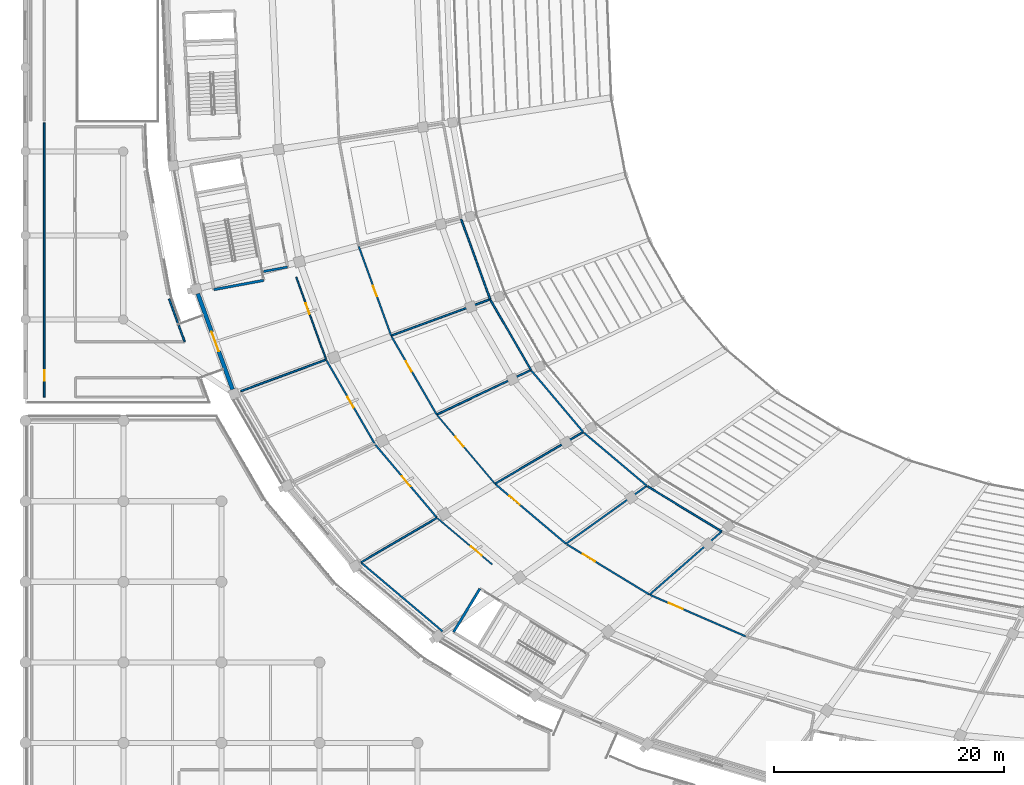
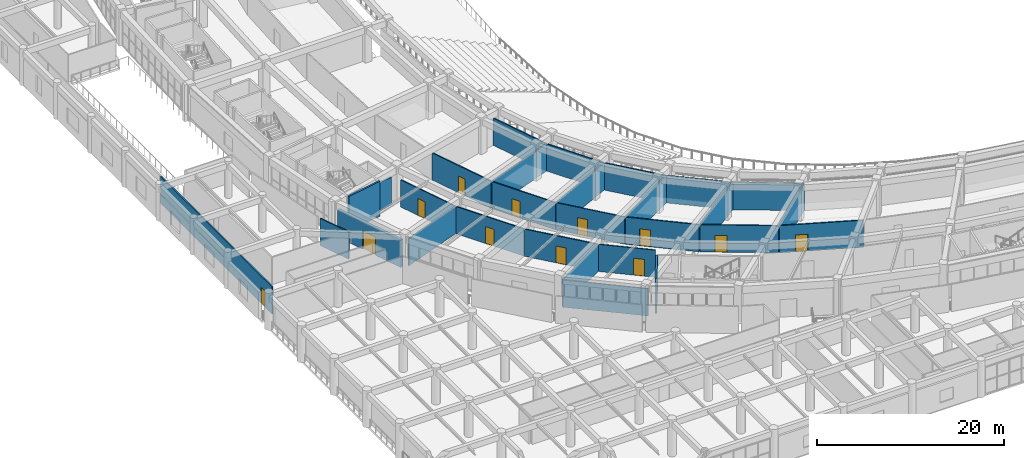
# One storey, part 96 of 152: 29 walls, 12 doors, 12 openings.
"""IFC4 building model written with IfcOpenShell, lengths in metres."""

from ifc_helpers import new_model, si_unit, direction, frame, frame_2d, origin, place, context, subcontext, project, spatial, rectangle, extrude, material, layer, layer_set, type_object, element, fill, save


model = new_model("IFC4")

# Units and contexts
model_context = context("Model", 3, precision=1e-05, world=origin(), true_north=direction((0.0, 1.0)))
body_context = subcontext(model_context, "Body", "Model", "MODEL_VIEW")
ifc_project = project(units=[si_unit("LENGTHUNIT", "METRE"), si_unit("AREAUNIT", "SQUARE_METRE"), si_unit("VOLUMEUNIT", "CUBIC_METRE"), si_unit("PLANEANGLEUNIT", "RADIAN"), si_unit("MASSUNIT", "GRAM", prefix="KILO")], contexts=[model_context])

# Site, building, storey
site_placement = place(None, origin())
site = spatial("IfcSite", under=ifc_project, at=site_placement, CompositionType="ELEMENT")
building_placement = place(site_placement, origin())
building = spatial("IfcBuilding", under=site, at=building_placement, Name="Mphavela Belvedere Stadium", CompositionType="ELEMENT")
storey_placement = place(building_placement, frame((0.0, 0.0, 5.39990234375)))
storey = spatial("IfcBuildingStorey", under=building, at=storey_placement, Name="L01", CompositionType="ELEMENT", Elevation=5.39990234375)

# Walls
ifc_material_1 = material(Name="Concrete C40/50", Category="concrete")
ifc_layer_1 = layer(ifc_material_1, 0.219970703125)
ifc_layer_set_1 = layer_set([ifc_layer_1], Name="Concrete C40/50")
wall_type_1 = type_object("IfcWallType", Name="WAL-CORE-SHEAR-220", PredefinedType="SHEAR", material=ifc_layer_set_1)
for number, where, z_axis, x_axis, name in (
    (1, (20.703857421875, 61.197021484375, 0.0), (0.0, 0.0, 1.0), (-0.983191575486, -0.182576904051, 0.0), "Core C09 shear wall L01 left"),
    (2, (39.497314453125, 34.4033203125, 0.0), (0.0, 0.0, 1.0), (-0.519664162523, -0.854370621095, 0.0), "Core C10 shear wall L01 right"),
):
    element("IfcWall", number, at=place(storey_placement, frame(where, z_axis=z_axis, x_axis=x_axis)), inside=storey, type_object=wall_type_1, Name=name, PredefinedType="SHEAR", context=body_context, shape_type="SweptSolid", body=[
        extrude(rectangle(XDim=4.41015625, YDim=0.219970703125, at=frame_2d((2.205078125, 0.0))), origin(), (0.0, 0.0, 1.0), 4.550048828125),
    ])

# Wall, opening, door
ifc_material_2 = material(Name="Honed ashlar limestone masonry", Category="masonry")
ifc_layer_2 = layer(ifc_material_2, 0.35009765625)
ifc_layer_set_2 = layer_set([ifc_layer_2], Name="Honed ashlar limestone masonry")
wall_type_2 = type_object("IfcWallType", Name="WAL-EXT-ASHLAR-350", PredefinedType="STANDARD", material=ifc_layer_set_2)
wall_1_placement = place(storey_placement, frame((17.99951171875, 51.71533203125, 0.0), z_axis=(0.0, 0.0, 1.0), x_axis=(-0.341014666885, 0.940057975324, 0.0)))
wall_1 = element("IfcWall", 3, at=wall_1_placement, inside=storey, type_object=wall_type_2, Name="Classical link portal wall L01-27", PredefinedType="STANDARD", context=body_context, shape_type="SweptSolid", body=[
    extrude(rectangle(XDim=8.855224609375, YDim=0.35009765625, at=frame_2d((4.427734375, 0.0))), origin(), (0.0, 0.0, 1.0), 3.570068359375),
])
opening_1_placement = place(wall_1_placement, frame((3.527587890625, 0.0, 0.0)))
opening_1 = element("IfcOpeningElement", 4, at=opening_1_placement, cuts=wall_1, Name="Opening ID-9126", PredefinedType="OPENING", context=body_context, shape_type="SweptSolid", body=[
    extrude(rectangle(XDim=1.800048828125, YDim=2.39990234375, at=frame_2d((0.89990234375, 1.199951171875))), frame((0.0, 0.18505859375, 0.0), z_axis=(0.0, -1.0, 0.0), x_axis=(1.0, 0.0, 0.0)), (0.0, 0.0, 1.0), 0.3701171875),
])
ifc_material_3 = material(Name="Glazed bronze-anodised steel exit doorset", Category="steel")
door_type_1 = type_object("IfcDoorType", Name="DR-EXT-01", OperationType="NOTDEFINED", PredefinedType="DOOR", material=ifc_material_3)
door_1_placement = place(opening_1_placement, origin())
door_1 = element("IfcDoor", 5, at=door_1_placement, inside=storey, type_object=door_type_1, Name="Wing promenade link doorset L01-27", OperationType="DOUBLE_DOOR_SINGLE_SWING", OverallHeight=2.39990234375, OverallWidth=1.800048828125, PredefinedType="DOOR", context=body_context, shape_type="SweptSolid", body=[
    extrude(rectangle(XDim=1.800048828125, YDim=2.39990234375, at=frame_2d((0.89990234375, 1.199951171875))), frame((0.0, 0.02490234375, 0.0), z_axis=(0.0, -1.0, 0.0), x_axis=(1.0, 0.0, 0.0)), (0.0, 0.0, 1.0), 0.050048828125),
])
fill(opening_1, door_1)

ifc_material_4 = material(Name="Moisture-resistant sanitary partition assembly")
ifc_layer_3 = layer(ifc_material_4, 0.125)
ifc_layer_set_3 = layer_set([ifc_layer_3], Name="Moisture-resistant sanitary partition assembly")
wall_type_3 = type_object("IfcWallType", Name="WAL-PART-125", PredefinedType="PARTITIONING", material=ifc_layer_set_3)
wall_2_placement = place(storey_placement, frame((23.531005859375, 61.47802734375, 0.0), z_axis=(0.0, 0.0, 1.0), x_axis=(0.341013494536, -0.940058400603, 0.0)))
wall_2 = element("IfcWall", 6, at=wall_2_placement, inside=storey, type_object=wall_type_3, Name="Room L01-101 corridor partition", PredefinedType="PARTITIONING", context=body_context, shape_type="SweptSolid", body=[
    extrude(rectangle(XDim=7.6318359375, YDim=0.125, at=frame_2d((3.81591796875, 0.0))), origin(), (0.0, 0.0, 1.0), 3.550048828125),
])
opening_2_placement = place(wall_2_placement, frame((2.424072265625, 0.0, 0.0)))
opening_2 = element("IfcOpeningElement", 7, at=opening_2_placement, cuts=wall_2, Name="Opening ID-123", PredefinedType="OPENING", context=body_context, shape_type="SweptSolid", body=[
    extrude(rectangle(XDim=0.97998046875, YDim=2.199951171875, at=frame_2d((0.489990234375, 1.10009765625))), frame((0.0, 0.072509765625, 0.0), z_axis=(0.0, -1.0, 0.0), x_axis=(1.0, 0.0, 0.0)), (0.0, 0.0, 1.0), 0.14501953125),
])
ifc_material_5 = material(Name="Hardwood acoustic timber doorset", Category="wood")
door_type_2 = type_object("IfcDoorType", Name="DR-INT-15", OperationType="NOTDEFINED", PredefinedType="DOOR", material=ifc_material_5)
door_2_placement = place(opening_2_placement, origin())
door_2 = element("IfcDoor", 8, at=door_2_placement, inside=storey, type_object=door_type_2, Name="Room L01-101 entrance door ID-123", OperationType="SINGLE_SWING_LEFT", OverallHeight=2.199951171875, OverallWidth=0.97998046875, PredefinedType="DOOR", context=body_context, shape_type="SweptSolid", body=[
    extrude(rectangle(XDim=0.97998046875, YDim=2.199951171875, at=frame_2d((0.489990234375, 1.10009765625))), frame((0.0, 0.02490234375, 0.0), z_axis=(0.0, -1.0, 0.0), x_axis=(1.0, 0.0, 0.0)), (0.0, 0.0, 1.0), 0.050048828125),
])
fill(opening_2, door_2)

wall_3_placement = place(storey_placement, frame((40.806884765625, 43.518310546875, 0.0), z_axis=(0.0, 0.0, 1.0), x_axis=(-0.645180817826, 0.764029915847, 0.0)))
wall_3 = element("IfcWall", 9, at=wall_3_placement, inside=storey, type_object=wall_type_3, Name="Room L01-106 corridor partition", PredefinedType="PARTITIONING", context=body_context, shape_type="SweptSolid", body=[
    extrude(rectangle(XDim=7.779296875, YDim=0.125, at=frame_2d((3.8896484375, 0.0))), origin(), (0.0, 0.0, 1.0), 3.550048828125),
])
opening_3_placement = place(wall_3_placement, frame((4.24560546875, 0.0, 0.0)))
opening_3 = element("IfcOpeningElement", 10, at=opening_3_placement, cuts=wall_3, Name="Opening ID-126", PredefinedType="OPENING", context=body_context, shape_type="SweptSolid", body=[
    extrude(rectangle(XDim=1.10009765625, YDim=2.199951171875, at=frame_2d((0.550048828125, 1.10009765625))), frame((0.0, 0.072509765625, 0.0), z_axis=(0.0, -1.0, 0.0), x_axis=(1.0, 0.0, 0.0)), (0.0, 0.0, 1.0), 0.14501953125),
])
ifc_material_6 = material(Name="Hardwood acoustic timber doorset", Category="wood")
door_type_3 = type_object("IfcDoorType", Name="DR-INT-18", OperationType="NOTDEFINED", PredefinedType="DOOR", material=ifc_material_6)
door_3_placement = place(opening_3_placement, origin())
door_3 = element("IfcDoor", 11, at=door_3_placement, inside=storey, type_object=door_type_3, Name="Room L01-106 entrance door ID-126", OperationType="SINGLE_SWING_RIGHT", OverallHeight=2.199951171875, OverallWidth=1.10009765625, PredefinedType="DOOR", context=body_context, shape_type="SweptSolid", body=[
    extrude(rectangle(XDim=1.10009765625, YDim=2.199951171875, at=frame_2d((0.550048828125, 1.10009765625))), frame((0.0, 0.02490234375, 0.0), z_axis=(0.0, -1.0, 0.0), x_axis=(1.0, 0.0, 0.0)), (0.0, 0.0, 1.0), 0.050048828125),
])
fill(opening_3, door_3)

wall_4_placement = place(storey_placement, frame((35.8251953125, 40.5029296875, 0.0), z_axis=(0.0, 0.0, 1.0), x_axis=(0.764269616674, -0.644896854565, 0.0)))
wall_4 = element("IfcWall", 12, at=wall_4_placement, inside=storey, type_object=wall_type_3, Name="Room L01-110 corridor partition", PredefinedType="PARTITIONING", context=body_context, shape_type="SweptSolid", body=[
    extrude(rectangle(XDim=6.19091796875, YDim=0.125, at=frame_2d((3.095458984375, 0.0))), origin(), (0.0, 0.0, 1.0), 3.550048828125),
])
opening_4_placement = place(wall_4_placement, frame((3.78466796875, 0.0, 0.0)))
opening_4 = element("IfcOpeningElement", 13, at=opening_4_placement, cuts=wall_4, Name="Opening ID-129", PredefinedType="OPENING", context=body_context, shape_type="SweptSolid", body=[
    extrude(rectangle(XDim=1.219970703125, YDim=2.199951171875, at=frame_2d((0.60986328125, 1.10009765625))), frame((0.0, 0.072509765625, 0.0), z_axis=(0.0, -1.0, 0.0), x_axis=(1.0, 0.0, 0.0)), (0.0, 0.0, 1.0), 0.14501953125),
])
ifc_material_7 = material(Name="Hardwood acoustic timber doorset", Category="wood")
door_type_4 = type_object("IfcDoorType", Name="DR-INT-21", OperationType="NOTDEFINED", PredefinedType="DOOR", material=ifc_material_7)
door_4_placement = place(opening_4_placement, origin())
door_4 = element("IfcDoor", 14, at=door_4_placement, inside=storey, type_object=door_type_4, Name="Room L01-110 entrance door ID-129", OperationType="SINGLE_SWING_LEFT", OverallHeight=2.199951171875, OverallWidth=1.219970703125, PredefinedType="DOOR", context=body_context, shape_type="SweptSolid", body=[
    extrude(rectangle(XDim=1.219970703125, YDim=2.199951171875, at=frame_2d((0.60986328125, 1.10009765625))), frame((0.0, 0.02490234375, 0.0), z_axis=(0.0, -1.0, 0.0), x_axis=(1.0, 0.0, 0.0)), (0.0, 0.0, 1.0), 0.050048828125),
])
fill(opening_4, door_4)

ifc_material_8 = material(Name="Acoustic gypsum stud partition assembly")
ifc_layer_4 = layer(ifc_material_8, 0.14990234375)
ifc_layer_set_4 = layer_set([ifc_layer_4], Name="Acoustic gypsum stud partition assembly")
wall_type_4 = type_object("IfcWallType", Name="WAL-PART-150", PredefinedType="PARTITIONING", material=ifc_layer_set_4)
wall_5_placement = place(storey_placement, frame((31.782470703125, 56.384765625, 0.0), z_axis=(0.0, 0.0, 1.0), x_axis=(-0.341044733968, 0.940047067669, 0.0)))
wall_5 = element("IfcWall", 15, at=wall_5_placement, inside=storey, type_object=wall_type_4, Name="Room L01-100 corridor partition", PredefinedType="PARTITIONING", context=body_context, shape_type="SweptSolid", body=[
    extrude(rectangle(XDim=8.25390625, YDim=0.14990234375, at=frame_2d((4.126953125, 0.0))), origin(), (0.0, 0.0, 1.0), 3.550048828125),
])
opening_5_placement = place(wall_5_placement, frame((3.656982421875, 0.0, 0.0)))
opening_5 = element("IfcOpeningElement", 16, at=opening_5_placement, cuts=wall_5, Name="Opening ID-122", PredefinedType="OPENING", context=body_context, shape_type="SweptSolid", body=[
    extrude(rectangle(XDim=0.93994140625, YDim=2.199951171875, at=frame_2d((0.469970703125, 1.10009765625))), frame((0.0, 0.0849609375, 0.0), z_axis=(0.0, -1.0, 0.0), x_axis=(1.0, 0.0, 0.0)), (0.0, 0.0, 1.0), 0.169921875),
])
ifc_material_9 = material(Name="Hardwood acoustic timber doorset", Category="wood")
door_type_5 = type_object("IfcDoorType", Name="DR-INT-14", OperationType="NOTDEFINED", PredefinedType="DOOR", material=ifc_material_9)
door_5_placement = place(opening_5_placement, origin())
door_5 = element("IfcDoor", 17, at=door_5_placement, inside=storey, type_object=door_type_5, Name="Room L01-100 entrance door ID-122", OperationType="SINGLE_SWING_RIGHT", OverallHeight=2.199951171875, OverallWidth=0.93994140625, PredefinedType="DOOR", context=body_context, shape_type="SweptSolid", body=[
    extrude(rectangle(XDim=0.93994140625, YDim=2.199951171875, at=frame_2d((0.469970703125, 1.10009765625))), frame((0.0, 0.02490234375, 0.0), z_axis=(0.0, -1.0, 0.0), x_axis=(1.0, 0.0, 0.0)), (0.0, 0.0, 1.0), 0.050048828125),
])
fill(opening_5, door_5)

wall_6_placement = place(storey_placement, frame((35.739990234375, 49.52783203125, 0.0), z_axis=(0.0, 0.0, 1.0), x_axis=(-0.500584301803, 0.865687794063, 0.0)))
wall_6 = element("IfcWall", 18, at=wall_6_placement, inside=storey, type_object=wall_type_4, Name="Room L01-103 corridor partition", PredefinedType="PARTITIONING", context=body_context, shape_type="SweptSolid", body=[
    extrude(rectangle(XDim=7.8369140625, YDim=0.14990234375, at=frame_2d((3.91845703125, 0.0))), origin(), (0.0, 0.0, 1.0), 3.550048828125),
])
opening_6_placement = place(wall_6_placement, frame((4.335205078125, 0.0, 0.0)))
opening_6 = element("IfcOpeningElement", 19, at=opening_6_placement, cuts=wall_6, Name="Opening ID-124", PredefinedType="OPENING", context=body_context, shape_type="SweptSolid", body=[
    extrude(rectangle(XDim=1.02001953125, YDim=2.199951171875, at=frame_2d((0.510009765625, 1.10009765625))), frame((0.0, 0.0849609375, 0.0), z_axis=(0.0, -1.0, 0.0), x_axis=(1.0, 0.0, 0.0)), (0.0, 0.0, 1.0), 0.169921875),
])
ifc_material_10 = material(Name="Hardwood acoustic timber doorset", Category="wood")
door_type_6 = type_object("IfcDoorType", Name="DR-INT-16", OperationType="NOTDEFINED", PredefinedType="DOOR", material=ifc_material_10)
door_6_placement = place(opening_6_placement, origin())
door_6 = element("IfcDoor", 20, at=door_6_placement, inside=storey, type_object=door_type_6, Name="Room L01-103 entrance door ID-124", OperationType="SINGLE_SWING_RIGHT", OverallHeight=2.199951171875, OverallWidth=1.02001953125, PredefinedType="DOOR", context=body_context, shape_type="SweptSolid", body=[
    extrude(rectangle(XDim=1.02001953125, YDim=2.199951171875, at=frame_2d((0.510009765625, 1.10009765625))), frame((0.0, 0.02490234375, 0.0), z_axis=(0.0, -1.0, 0.0), x_axis=(1.0, 0.0, 0.0)), (0.0, 0.0, 1.0), 0.050048828125),
])
fill(opening_6, door_6)

wall_7_placement = place(storey_placement, frame((26.1669921875, 54.230712890625, 0.0), z_axis=(0.0, 0.0, 1.0), x_axis=(0.500559280672, -0.865702262059, 0.0)))
wall_7 = element("IfcWall", 21, at=wall_7_placement, inside=storey, type_object=wall_type_4, Name="Room L01-104 corridor partition", PredefinedType="PARTITIONING", context=body_context, shape_type="SweptSolid", body=[
    extrude(rectangle(XDim=8.37451171875, YDim=0.14990234375, at=frame_2d((4.187255859375, 0.0))), origin(), (0.0, 0.0, 1.0), 3.550048828125),
])
opening_7_placement = place(wall_7_placement, frame((3.6572265625, 0.0, 0.0)))
opening_7 = element("IfcOpeningElement", 22, at=opening_7_placement, cuts=wall_7, Name="Opening ID-125", PredefinedType="OPENING", context=body_context, shape_type="SweptSolid", body=[
    extrude(rectangle(XDim=1.06005859375, YDim=2.199951171875, at=frame_2d((0.530029296875, 1.10009765625))), frame((0.0, 0.0849609375, 0.0), z_axis=(0.0, -1.0, 0.0), x_axis=(1.0, 0.0, 0.0)), (0.0, 0.0, 1.0), 0.169921875),
])
ifc_material_11 = material(Name="Hardwood acoustic timber doorset", Category="wood")
door_type_7 = type_object("IfcDoorType", Name="DR-INT-17", OperationType="NOTDEFINED", PredefinedType="DOOR", material=ifc_material_11)
door_7_placement = place(opening_7_placement, origin())
door_7 = element("IfcDoor", 23, at=door_7_placement, inside=storey, type_object=door_type_7, Name="Room L01-104 entrance door ID-125", OperationType="SINGLE_SWING_LEFT", OverallHeight=2.199951171875, OverallWidth=1.06005859375, PredefinedType="DOOR", context=body_context, shape_type="SweptSolid", body=[
    extrude(rectangle(XDim=1.06005859375, YDim=2.199951171875, at=frame_2d((0.530029296875, 1.10009765625))), frame((0.0, 0.02490234375, 0.0), z_axis=(0.0, -1.0, 0.0), x_axis=(1.0, 0.0, 0.0)), (0.0, 0.0, 1.0), 0.050048828125),
])
fill(opening_7, door_7)

wall_8_placement = place(storey_placement, frame((30.40478515625, 46.9140625, 0.0), z_axis=(0.0, 0.0, 1.0), x_axis=(0.64516519871, -0.76404310505, 0.0)))
wall_8 = element("IfcWall", 24, at=wall_8_placement, inside=storey, type_object=wall_type_4, Name="Room L01-107 corridor partition", PredefinedType="PARTITIONING", context=body_context, shape_type="SweptSolid", body=[
    extrude(rectangle(XDim=8.3134765625, YDim=0.14990234375, at=frame_2d((4.15673828125, 0.0))), origin(), (0.0, 0.0, 1.0), 3.550048828125),
])
opening_8_placement = place(wall_8_placement, frame((3.586669921875, 0.0, 0.0)))
opening_8 = element("IfcOpeningElement", 25, at=opening_8_placement, cuts=wall_8, Name="Opening ID-127", PredefinedType="OPENING", context=body_context, shape_type="SweptSolid", body=[
    extrude(rectangle(XDim=1.139892578125, YDim=2.199951171875, at=frame_2d((0.56982421875, 1.10009765625))), frame((0.0, 0.0849609375, 0.0), z_axis=(0.0, -1.0, 0.0), x_axis=(1.0, 0.0, 0.0)), (0.0, 0.0, 1.0), 0.169921875),
])
ifc_material_12 = material(Name="Hardwood acoustic timber doorset", Category="wood")
door_type_8 = type_object("IfcDoorType", Name="DR-INT-19", OperationType="NOTDEFINED", PredefinedType="DOOR", material=ifc_material_12)
door_8_placement = place(opening_8_placement, origin())
door_8 = element("IfcDoor", 26, at=door_8_placement, inside=storey, type_object=door_type_8, Name="Room L01-107 entrance door ID-127", OperationType="SINGLE_SWING_LEFT", OverallHeight=2.199951171875, OverallWidth=1.139892578125, PredefinedType="DOOR", context=body_context, shape_type="SweptSolid", body=[
    extrude(rectangle(XDim=1.139892578125, YDim=2.199951171875, at=frame_2d((0.56982421875, 1.10009765625))), frame((0.0, 0.02490234375, 0.0), z_axis=(0.0, -1.0, 0.0), x_axis=(1.0, 0.0, 0.0)), (0.0, 0.0, 1.0), 0.050048828125),
])
fill(opening_8, door_8)

wall_9_placement = place(storey_placement, frame((46.972900390625, 38.30810546875, 0.0), z_axis=(0.0, 0.0, 1.0), x_axis=(-0.764249122867, 0.644921141068, 0.0)))
wall_9 = element("IfcWall", 27, at=wall_9_placement, inside=storey, type_object=wall_type_4, Name="Room L01-109 corridor partition", PredefinedType="PARTITIONING", context=body_context, shape_type="SweptSolid", body=[
    extrude(rectangle(XDim=7.989501953125, YDim=0.14990234375, at=frame_2d((3.99462890625, 0.0))), origin(), (0.0, 0.0, 1.0), 3.550048828125),
])
opening_9_placement = place(wall_9_placement, frame((5.255615234375, 0.0, 0.0)))
opening_9 = element("IfcOpeningElement", 28, at=opening_9_placement, cuts=wall_9, Name="Opening ID-128", PredefinedType="OPENING", context=body_context, shape_type="SweptSolid", body=[
    extrude(rectangle(XDim=1.179931640625, YDim=2.199951171875, at=frame_2d((0.58984375, 1.10009765625))), frame((0.0, 0.0849609375, 0.0), z_axis=(0.0, -1.0, 0.0), x_axis=(1.0, 0.0, 0.0)), (0.0, 0.0, 1.0), 0.169921875),
])
ifc_material_13 = material(Name="Hardwood acoustic timber doorset", Category="wood")
door_type_9 = type_object("IfcDoorType", Name="DR-INT-20", OperationType="NOTDEFINED", PredefinedType="DOOR", material=ifc_material_13)
door_9_placement = place(opening_9_placement, origin())
door_9 = element("IfcDoor", 29, at=door_9_placement, inside=storey, type_object=door_type_9, Name="Room L01-109 entrance door ID-128", OperationType="SINGLE_SWING_RIGHT", OverallHeight=2.199951171875, OverallWidth=1.179931640625, PredefinedType="DOOR", context=body_context, shape_type="SweptSolid", body=[
    extrude(rectangle(XDim=1.179931640625, YDim=2.199951171875, at=frame_2d((0.58984375, 1.10009765625))), frame((0.0, 0.02490234375, 0.0), z_axis=(0.0, -1.0, 0.0), x_axis=(1.0, 0.0, 0.0)), (0.0, 0.0, 1.0), 0.050048828125),
])
fill(opening_9, door_9)

wall_10_placement = place(storey_placement, frame((54.237060546875, 33.884033203125, 0.0), z_axis=(0.0, 0.0, 1.0), x_axis=(-0.854330104408, 0.519730769439, 0.0)))
wall_10 = element("IfcWall", 30, at=wall_10_placement, inside=storey, type_object=wall_type_4, Name="Room L01-112 corridor partition", PredefinedType="PARTITIONING", context=body_context, shape_type="SweptSolid", body=[
    extrude(rectangle(XDim=8.420166015625, YDim=0.14990234375, at=frame_2d((4.2099609375, 0.0))), origin(), (0.0, 0.0, 1.0), 3.550048828125),
])
opening_10_placement = place(wall_10_placement, frame((5.5361328125, 0.0, 0.0)))
opening_10 = element("IfcOpeningElement", 31, at=opening_10_placement, cuts=wall_10, Name="Opening ID-130", PredefinedType="OPENING", context=body_context, shape_type="SweptSolid", body=[
    extrude(rectangle(XDim=1.260009765625, YDim=2.199951171875, at=frame_2d((0.6298828125, 1.10009765625))), frame((0.0, 0.0849609375, 0.0), z_axis=(0.0, -1.0, 0.0), x_axis=(1.0, 0.0, 0.0)), (0.0, 0.0, 1.0), 0.169921875),
])
ifc_material_14 = material(Name="Hardwood acoustic timber doorset", Category="wood")
door_type_10 = type_object("IfcDoorType", Name="DR-INT-22", OperationType="NOTDEFINED", PredefinedType="DOOR", material=ifc_material_14)
door_10_placement = place(opening_10_placement, origin())
door_10 = element("IfcDoor", 32, at=door_10_placement, inside=storey, type_object=door_type_10, Name="Room L01-112 entrance door ID-130", OperationType="SINGLE_SWING_RIGHT", OverallHeight=2.199951171875, OverallWidth=1.260009765625, PredefinedType="DOOR", context=body_context, shape_type="SweptSolid", body=[
    extrude(rectangle(XDim=1.260009765625, YDim=2.199951171875, at=frame_2d((0.6298828125, 1.10009765625))), frame((0.0, 0.02490234375, 0.0), z_axis=(0.0, -1.0, 0.0), x_axis=(1.0, 0.0, 0.0)), (0.0, 0.0, 1.0), 0.050048828125),
])
fill(opening_10, door_10)

wall_11_placement = place(storey_placement, frame((62.617919921875, 30.246826171875, 0.0), z_axis=(0.0, 0.0, 1.0), x_axis=(-0.917494590455, 0.397748257677, 0.0)))
wall_11 = element("IfcWall", 33, at=wall_11_placement, inside=storey, type_object=wall_type_4, Name="Room L01-114 corridor partition", PredefinedType="PARTITIONING", context=body_context, shape_type="SweptSolid", body=[
    extrude(rectangle(XDim=9.04931640625, YDim=0.14990234375, at=frame_2d((4.524658203125, 0.0))), origin(), (0.0, 0.0, 1.0), 3.550048828125),
])
opening_11_placement = place(wall_11_placement, frame((5.991455078125, 0.0, 0.0)))
opening_11 = element("IfcOpeningElement", 34, at=opening_11_placement, cuts=wall_11, Name="Opening ID-131", PredefinedType="OPENING", context=body_context, shape_type="SweptSolid", body=[
    extrude(rectangle(XDim=1.320068359375, YDim=2.199951171875, at=frame_2d((0.66015625, 1.10009765625))), frame((0.0, 0.0849609375, 0.0), z_axis=(0.0, -1.0, 0.0), x_axis=(1.0, 0.0, 0.0)), (0.0, 0.0, 1.0), 0.169921875),
])
ifc_material_15 = material(Name="Hardwood acoustic timber doorset", Category="wood")
door_type_11 = type_object("IfcDoorType", Name="DR-INT-23", OperationType="NOTDEFINED", PredefinedType="DOOR", material=ifc_material_15)
door_11_placement = place(opening_11_placement, origin())
door_11 = element("IfcDoor", 35, at=door_11_placement, inside=storey, type_object=door_type_11, Name="Room L01-114 entrance door ID-131", OperationType="SINGLE_SWING_LEFT", OverallHeight=2.199951171875, OverallWidth=1.320068359375, PredefinedType="DOOR", context=body_context, shape_type="SweptSolid", body=[
    extrude(rectangle(XDim=1.320068359375, YDim=2.199951171875, at=frame_2d((0.66015625, 1.10009765625))), frame((0.0, 0.02490234375, 0.0), z_axis=(0.0, -1.0, 0.0), x_axis=(1.0, 0.0, 0.0)), (0.0, 0.0, 1.0), 0.050048828125),
])
fill(opening_11, door_11)

wall_12_placement = place(storey_placement, frame((1.639892578125, 74.88330078125, 0.0), z_axis=(0.0, 0.0, 1.0), x_axis=(0.0, -1.0, 0.0)))
wall_12 = element("IfcWall", 36, at=wall_12_placement, inside=storey, type_object=wall_type_4, Name="Room L01-190 corridor partition", PredefinedType="PARTITIONING", context=body_context, shape_type="SweptSolid", body=[
    extrude(rectangle(XDim=23.833251953125, YDim=0.14990234375, at=frame_2d((11.91650390625, 0.0))), origin(), (0.0, 0.0, 1.0), 3.550048828125),
])
opening_12_placement = place(wall_12_placement, frame((21.49853515625, 0.0, 0.0)))
opening_12 = element("IfcOpeningElement", 37, at=opening_12_placement, cuts=wall_12, Name="Opening ID-505", PredefinedType="OPENING", context=body_context, shape_type="SweptSolid", body=[
    extrude(rectangle(XDim=0.89990234375, YDim=2.10009765625, at=frame_2d((0.449951171875, 1.050048828125))), frame((0.0, 0.0849609375, 0.0), z_axis=(0.0, -1.0, 0.0), x_axis=(1.0, 0.0, 0.0)), (0.0, 0.0, 1.0), 0.169921875),
])
ifc_material_16 = material(Name="Hardwood acoustic timber doorset", Category="wood")
door_type_12 = type_object("IfcDoorType", Name="DR-INT-01", OperationType="NOTDEFINED", PredefinedType="DOOR", material=ifc_material_16)
door_12_placement = place(opening_12_placement, origin())
door_12 = element("IfcDoor", 38, at=door_12_placement, inside=storey, type_object=door_type_12, Name="Room L01-190 entrance door ID-505", OperationType="SINGLE_SWING_LEFT", OverallHeight=2.10009765625, OverallWidth=0.89990234375, PredefinedType="DOOR", context=body_context, shape_type="SweptSolid", body=[
    extrude(rectangle(XDim=0.89990234375, YDim=2.10009765625, at=frame_2d((0.449951171875, 1.050048828125))), frame((0.0, 0.02490234375, 0.0), z_axis=(0.0, -1.0, 0.0), x_axis=(1.0, 0.0, 0.0)), (0.0, 0.0, 1.0), 0.050048828125),
])
fill(opening_12, door_12)

# Walls
wall_13_placement = place(storey_placement, frame((37.866943359375, 66.50390625, 0.0), z_axis=(0.0, 0.0, 1.0), x_axis=(0.34104817416, -0.940045819576, 0.0)))
element("IfcWall", 39, at=wall_13_placement, inside=storey, type_object=wall_type_4, Name="Room divider partition L01-0215", PredefinedType="PARTITIONING", context=body_context, shape_type="SweptSolid", body=[
    extrude(rectangle(XDim=7.391845703125, YDim=0.14990234375, at=frame_2d((3.69580078125, 0.0))), origin(), (0.0, 0.0, 1.0), 3.550048828125),
])
wall_14_placement = place(storey_placement, frame((40.387939453125, 59.55517578125, 0.0), z_axis=(0.0, 0.0, 1.0), x_axis=(-0.93834402583, -0.345702891496, 0.0)))
element("IfcWall", 40, at=wall_14_placement, inside=storey, type_object=wall_type_4, Name="Room divider partition L01-0216", PredefinedType="PARTITIONING", context=body_context, shape_type="SweptSolid", body=[
    extrude(rectangle(XDim=9.1708984375, YDim=0.14990234375, at=frame_2d((4.58544921875, 0.0))), origin(), (0.0, 0.0, 1.0), 3.550048828125),
])
wall_15_placement = place(storey_placement, frame((26.133544921875, 54.3037109375, 0.0), z_axis=(0.0, 0.0, 1.0), x_axis=(-0.938346807893, -0.345695340028, 0.0)))
element("IfcWall", 41, at=wall_15_placement, inside=storey, type_object=wall_type_4, Name="Room divider partition L01-0217", PredefinedType="PARTITIONING", context=body_context, shape_type="SweptSolid", body=[
    extrude(rectangle(XDim=7.90478515625, YDim=0.14990234375, at=frame_2d((3.952392578125, 0.0))), origin(), (0.0, 0.0, 1.0), 3.550048828125),
])
wall_16_placement = place(storey_placement, frame((40.42138671875, 59.482177734375, 0.0), z_axis=(0.0, 0.0, 1.0), x_axis=(0.500549390525, -0.865707980583, 0.0)))
element("IfcWall", 42, at=wall_16_placement, inside=storey, type_object=wall_type_4, Name="Room divider partition L01-0218", PredefinedType="PARTITIONING", context=body_context, shape_type="SweptSolid", body=[
    extrude(rectangle(XDim=7.01806640625, YDim=0.14990234375, at=frame_2d((3.509033203125, 0.0))), origin(), (0.0, 0.0, 1.0), 3.550048828125),
])
wall_17_placement = place(storey_placement, frame((43.934326171875, 53.406494140625, 0.0), z_axis=(0.0, 0.0, 1.0), x_axis=(-0.903860081227, -0.427828182292, 0.0)))
element("IfcWall", 43, at=wall_17_placement, inside=storey, type_object=wall_type_4, Name="Room divider partition L01-0219", PredefinedType="PARTITIONING", context=body_context, shape_type="SweptSolid", body=[
    extrude(rectangle(XDim=9.06591796875, YDim=0.14990234375, at=frame_2d((4.532958984375, 0.0))), origin(), (0.0, 0.0, 1.0), 3.550048828125),
])
wall_18_placement = place(storey_placement, frame((43.97998046875, 53.339599609375, 0.0), z_axis=(0.0, 0.0, 1.0), x_axis=(0.64516899819, -0.764039896716, 0.0)))
element("IfcWall", 44, at=wall_18_placement, inside=storey, type_object=wall_type_4, Name="Room divider partition L01-0222", PredefinedType="PARTITIONING", context=body_context, shape_type="SweptSolid", body=[
    extrude(rectangle(XDim=6.966552734375, YDim=0.14990234375, at=frame_2d((3.4833984375, 0.0))), origin(), (0.0, 0.0, 1.0), 3.550048828125),
])
wall_19_placement = place(storey_placement, frame((48.474609375, 48.016845703125, 0.0), z_axis=(0.0, 0.0, 1.0), x_axis=(-0.862518193496, -0.506026052579, 0.0)))
element("IfcWall", 45, at=wall_19_placement, inside=storey, type_object=wall_type_4, Name="Room divider partition L01-0223", PredefinedType="PARTITIONING", context=body_context, shape_type="SweptSolid", body=[
    extrude(rectangle(XDim=8.889892578125, YDim=0.14990234375, at=frame_2d((4.44482421875, 0.0))), origin(), (0.0, 0.0, 1.0), 3.550048828125),
])
wall_20_placement = place(storey_placement, frame((35.768310546875, 40.562255859375, 0.0), z_axis=(0.0, 0.0, 1.0), x_axis=(-0.862520085009, -0.506022828492, 0.0)))
element("IfcWall", 46, at=wall_20_placement, inside=storey, type_object=wall_type_4, Name="Room divider partition L01-0224", PredefinedType="PARTITIONING", context=body_context, shape_type="SweptSolid", body=[
    extrude(rectangle(XDim=7.66259765625, YDim=0.14990234375, at=frame_2d((3.831298828125, 0.0))), origin(), (0.0, 0.0, 1.0), 3.550048828125),
])
wall_21_placement = place(storey_placement, frame((48.531494140625, 47.95751953125, 0.0), z_axis=(0.0, 0.0, 1.0), x_axis=(0.764260476561, -0.644907686391, 0.0)))
element("IfcWall", 47, at=wall_21_placement, inside=storey, type_object=wall_type_4, Name="Room divider partition L01-0226", PredefinedType="PARTITIONING", context=body_context, shape_type="SweptSolid", body=[
    extrude(rectangle(XDim=7.1552734375, YDim=0.14990234375, at=frame_2d((3.57763671875, 0.0))), origin(), (0.0, 0.0, 1.0), 3.550048828125),
])
wall_22_placement = place(storey_placement, frame((54.0, 43.343017578125, 0.0), z_axis=(0.0, 0.0, 1.0), x_axis=(-0.812881530735, -0.582429066058, 0.0)))
element("IfcWall", 48, at=wall_22_placement, inside=storey, type_object=wall_type_4, Name="Room divider partition L01-0227", PredefinedType="PARTITIONING", context=body_context, shape_type="SweptSolid", body=[
    extrude(rectangle(XDim=8.644775390625, YDim=0.14990234375, at=frame_2d((4.322265625, 0.0))), origin(), (0.0, 0.0, 1.0), 3.550048828125),
])
wall_23_placement = place(storey_placement, frame((36.29443359375, 30.656982421875, 0.0), z_axis=(0.0, 0.0, 1.0), x_axis=(-0.764252893528, 0.644916672706, 0.0)))
element("IfcWall", 49, at=wall_23_placement, inside=storey, type_object=wall_type_4, Name="Room divider partition L01-0229", PredefinedType="PARTITIONING", context=body_context, shape_type="SweptSolid", body=[
    extrude(rectangle(XDim=9.25732421875, YDim=0.14990234375, at=frame_2d((4.628662109375, 0.0))), origin(), (0.0, 0.0, 1.0), 3.550048828125),
])
wall_24_placement = place(storey_placement, frame((54.06689453125, 43.29248046875, 0.0), z_axis=(0.0, 0.0, 1.0), x_axis=(0.854343551339, -0.519708664817, 0.0)))
element("IfcWall", 50, at=wall_24_placement, inside=storey, type_object=wall_type_4, Name="Room divider partition L01-0230", PredefinedType="PARTITIONING", context=body_context, shape_type="SweptSolid", body=[
    extrude(rectangle(XDim=7.54150390625, YDim=0.14990234375, at=frame_2d((3.770751953125, 0.0))), origin(), (0.0, 0.0, 1.0), 3.550048828125),
])
wall_25_placement = place(storey_placement, frame((60.510009765625, 39.373046875, 0.0), z_axis=(0.0, 0.0, 1.0), x_axis=(-0.752565808221, -0.658517049359, 0.0)))
element("IfcWall", 51, at=wall_25_placement, inside=storey, type_object=wall_type_4, Name="Room divider partition L01-0231", PredefinedType="PARTITIONING", context=body_context, shape_type="SweptSolid", body=[
    extrude(rectangle(XDim=8.33544921875, YDim=0.14990234375, at=frame_2d((4.167724609375, 0.0))), origin(), (0.0, 0.0, 1.0), 3.550048828125),
])
wall_26_placement = place(storey_placement, frame((12.4853515625, 59.5849609375, 0.0), z_axis=(0.0, 0.0, 1.0), x_axis=(0.341035525383, -0.94005040845, 0.0)))
element("IfcWall", 52, at=wall_26_placement, inside=storey, type_object=wall_type_4, Name="Room divider partition L01-1155", PredefinedType="PARTITIONING", context=body_context, shape_type="SweptSolid", body=[
    extrude(rectangle(XDim=3.96240234375, YDim=0.14990234375, at=frame_2d((1.981201171875, 0.0))), origin(), (0.0, 0.0, 1.0), 3.550048828125),
])
ifc_material_17 = material(Name="Fire-rated calcium silicate partition assembly")
ifc_layer_5 = layer(ifc_material_17, 0.199951171875)
ifc_layer_set_5 = layer_set([ifc_layer_5], Name="Fire-rated calcium silicate partition assembly")
wall_type_5 = type_object("IfcWallType", Name="WAL-PART-FF-200", PredefinedType="PARTITIONING", material=ifc_layer_set_5)
wall_27_placement = place(storey_placement, frame((22.7724609375, 62.354248046875, 0.0), z_axis=(0.0, 0.0, 1.0), x_axis=(-0.983181056789, -0.18263353901, 0.0)))
element("IfcWall", 53, at=wall_27_placement, inside=storey, type_object=wall_type_5, Name="Firefighting lobby side wall L C09 L01", PredefinedType="PARTITIONING", context=body_context, shape_type="SweptSolid", body=[
    extrude(rectangle(XDim=2.1201171875, YDim=0.199951171875, at=frame_2d((1.06005859375, 0.0))), origin(), (0.0, 0.0, 1.0), 3.650146484375),
])

save(model, "model.ifc")
